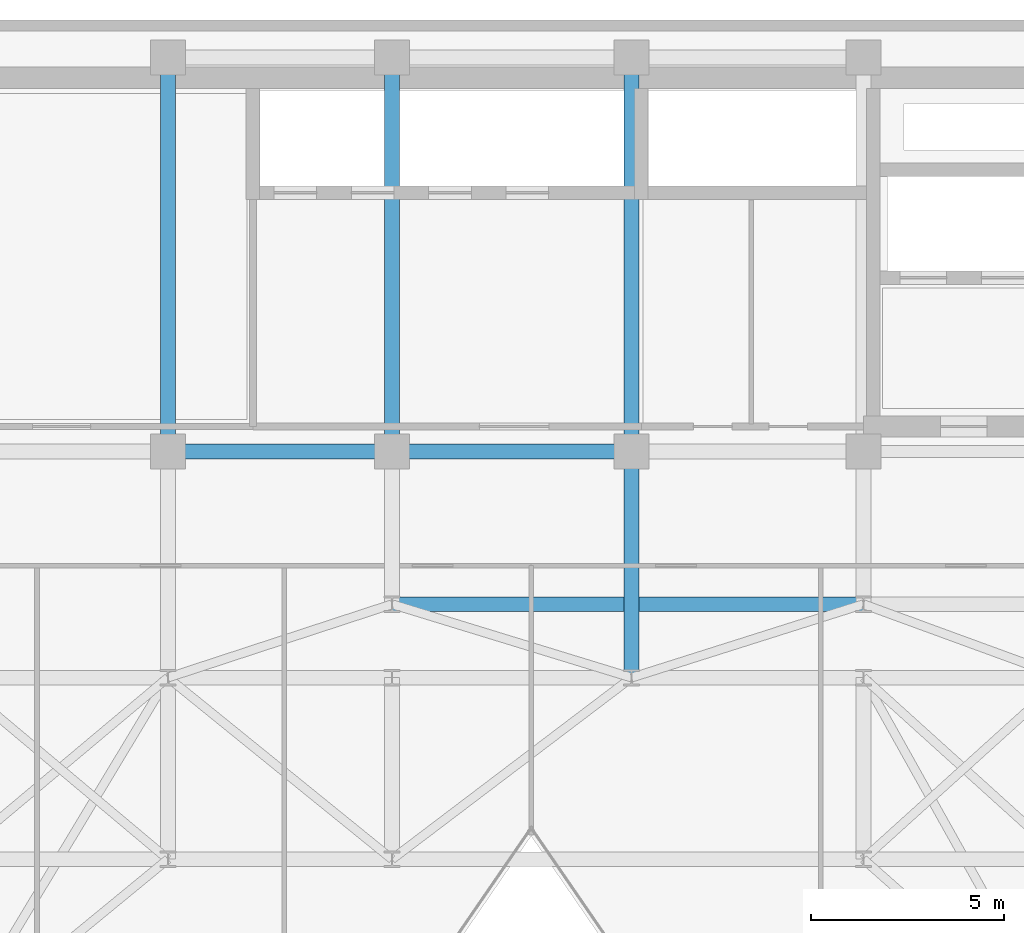
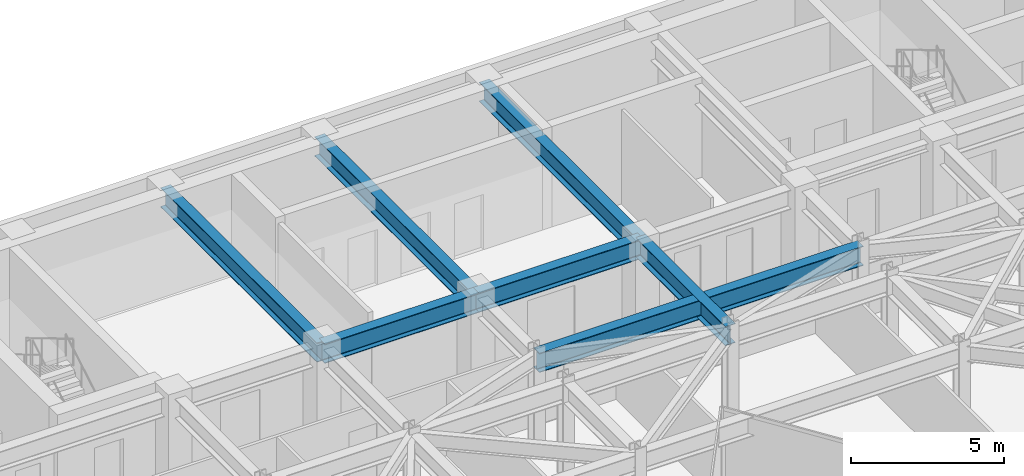
# One storey, part 15 of 26: 7 beams.
"""IFC4 building model written with IfcOpenShell, lengths in metres."""

from ifc_helpers import new_model, si_unit, direction, frame, origin, origin_2d, place, context, subcontext, project, spatial, i_section, extrude, material, material_profile, profile_set, type_object, element, save


model = new_model("IFC4")

# Units and contexts
model_context = context("Model", 3, precision=1e-05, world=origin(), true_north=direction((0.0, 1.0)))
body_context = subcontext(model_context, "Body", "Model", "MODEL_VIEW")
ifc_project = project(units=[si_unit("LENGTHUNIT", "METRE"), si_unit("AREAUNIT", "SQUARE_METRE"), si_unit("VOLUMEUNIT", "CUBIC_METRE"), si_unit("PLANEANGLEUNIT", "RADIAN"), si_unit("MASSUNIT", "GRAM", prefix="KILO")], contexts=[model_context])

# Site, building, storey
site_placement = place(None, origin())
site = spatial("IfcSite", under=ifc_project, at=site_placement, CompositionType="ELEMENT")
building_placement = place(site_placement, origin())
building = spatial("IfcBuilding", under=site, at=building_placement, Name="Kravanh Interchange Tower", CompositionType="ELEMENT")
storey_placement = place(building_placement, frame((0.0, 0.0, 180.5)))
storey = spatial("IfcBuildingStorey", under=building, at=storey_placement, Name="L43", CompositionType="ELEMENT", Elevation=180.5)

# Beams
ifc_material = material(Name="Structural Steel S355", Category="steel")
ifc_material_profile = material_profile(ifc_material, i_section(OverallWidth=0.381103515625, OverallDepth=0.77294921875, WebThickness=0.0166015625, FlangeThickness=0.027099609375, FilletRadius=0.02490234375, at=origin_2d()), Name="W30X173")
ifc_profile_set = profile_set([ifc_material_profile], Name="Structural Steel S355")
beam_type = type_object("IfcBeamType", Name="Floor Beam W30X173 Structural Steel S355", PredefinedType="BEAM", material=ifc_profile_set)
beam_1_placement = place(storey_placement, frame((44.800048828125, 37.35009765625, 3.368408203125), z_axis=(0.0, -1.0, 0.0), x_axis=(1.0, 0.0, 0.0)))
element("IfcBeam", 1, at=beam_1_placement, inside=storey, type_object=beam_type, Name="L43 Primary Floor Girder 12", PredefinedType="BEAM", context=body_context, shape_type="SweptSolid", body=[
    extrude(i_section(OverallWidth=0.381103515625, OverallDepth=0.77294921875, WebThickness=0.0166015625, FlangeThickness=0.027099609375, FilletRadius=0.02490234375, at=origin_2d()), origin(), (0.0, 0.0, 1.0), 5.85009765625),
])
beam_2_placement = place(storey_placement, frame((44.800048828125, 37.35009765625, 3.368408203125), z_axis=(-1.0, 0.0, 0.0), x_axis=(0.0, -1.0, 0.0)))
element("IfcBeam", 2, at=beam_2_placement, inside=storey, type_object=beam_type, Name="L43 Primary Floor Girder 13", PredefinedType="BEAM", context=body_context, shape_type="SweptSolid", body=[
    extrude(i_section(OverallWidth=0.381103515625, OverallDepth=0.77294921875, WebThickness=0.0166015625, FlangeThickness=0.027099609375, FilletRadius=0.02490234375, at=origin_2d()), origin(), (0.0, 0.0, 1.0), 6.199951171875),
])
beam_3_placement = place(storey_placement, frame((44.800048828125, 37.35009765625, 3.368408203125), z_axis=(0.0, 1.0, 0.0), x_axis=(-1.0, 0.0, 0.0)))
element("IfcBeam", 3, at=beam_3_placement, inside=storey, type_object=beam_type, Name="L43 Primary Floor Girder 14", PredefinedType="BEAM", context=body_context, shape_type="SweptSolid", body=[
    extrude(i_section(OverallWidth=0.381103515625, OverallDepth=0.77294921875, WebThickness=0.0166015625, FlangeThickness=0.027099609375, FilletRadius=0.02490234375, at=origin_2d()), origin(), (0.0, 0.0, 1.0), 10.199951171875),
])
beam_4_placement = place(storey_placement, frame((38.60009765625, 37.35009765625, 3.368408203125), z_axis=(-1.0, 0.0, 0.0), x_axis=(0.0, -1.0, 0.0)))
element("IfcBeam", 4, at=beam_4_placement, inside=storey, type_object=beam_type, Name="L43 Primary Floor Girder 17", PredefinedType="BEAM", context=body_context, shape_type="SweptSolid", body=[
    extrude(i_section(OverallWidth=0.381103515625, OverallDepth=0.77294921875, WebThickness=0.0166015625, FlangeThickness=0.027099609375, FilletRadius=0.02490234375, at=origin_2d()), origin(), (0.0, 0.0, 1.0), 5.800048828125),
])
for number, where, z_axis, x_axis, name in (
    (5, (38.60009765625, 37.35009765625, 3.368408203125), (0.0, 1.0, 0.0), (-1.0, 0.0, 0.0), "L43 Primary Floor Girder 18"),
    (6, (32.800048828125, 37.35009765625, 3.368408203125), (0.0, 1.0, 0.0), (-1.0, 0.0, 0.0), "L43 Primary Floor Girder 22"),
):
    element("IfcBeam", number, at=place(storey_placement, frame(where, z_axis=z_axis, x_axis=x_axis)), inside=storey, type_object=beam_type, Name=name, PredefinedType="BEAM", context=body_context, shape_type="SweptSolid", body=[
        extrude(i_section(OverallWidth=0.381103515625, OverallDepth=0.77294921875, WebThickness=0.0166015625, FlangeThickness=0.027099609375, FilletRadius=0.02490234375, at=origin_2d()), origin(), (0.0, 0.0, 1.0), 10.199951171875),
    ])
beam_5_placement = place(storey_placement, frame((38.60009765625, 33.39990234375, 3.368408203125), z_axis=(1.0, 0.0, 0.0), x_axis=(0.0, 1.0, 0.0)))
element("IfcBeam", 7, at=beam_5_placement, inside=storey, type_object=beam_type, Name="L43 Primary Floor Girder 94", PredefinedType="BEAM", context=body_context, shape_type="SweptSolid", body=[
    extrude(i_section(OverallWidth=0.381103515625, OverallDepth=0.77294921875, WebThickness=0.0166015625, FlangeThickness=0.027099609375, FilletRadius=0.02490234375, at=origin_2d()), origin(), (0.0, 0.0, 1.0), 12.199951171875),
])

save(model, "model.ifc")
